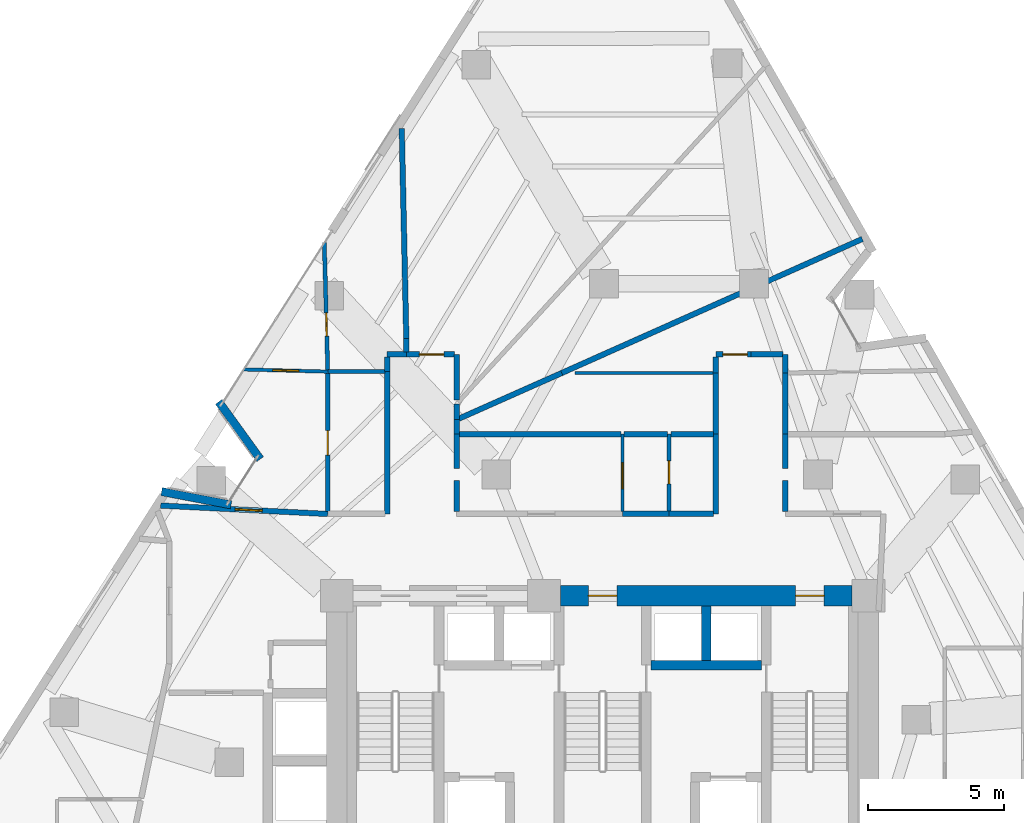
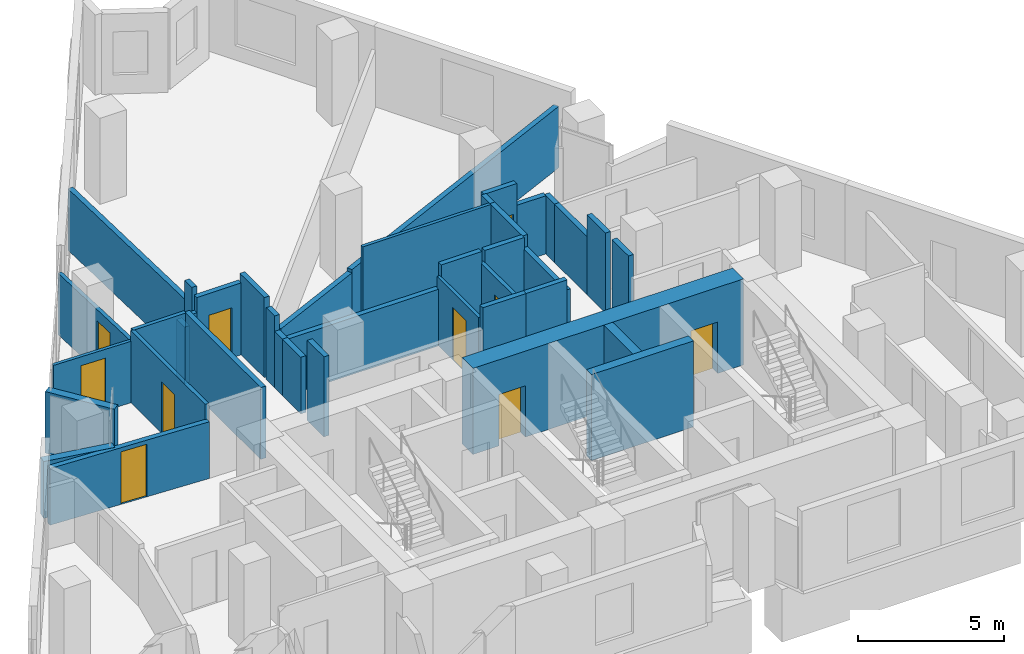
# One storey, part 8 of 12: 40 walls, 10 doors, 10 openings.
"""IFC4 building model written with IfcOpenShell, lengths in metres."""

from ifc_helpers import new_model, si_unit, direction, frame, frame_2d, origin, place, context, subcontext, project, spatial, rectangle, extrude, material, layer, layer_set, type_object, element, fill, save


model = new_model("IFC4")

# Units and contexts
model_context = context("Model", 3, precision=1e-05, world=origin(), true_north=direction((0.0, 1.0)))
body_context = subcontext(model_context, "Body", "Model", "MODEL_VIEW")
ifc_project = project(units=[si_unit("LENGTHUNIT", "METRE"), si_unit("AREAUNIT", "SQUARE_METRE"), si_unit("VOLUMEUNIT", "CUBIC_METRE"), si_unit("PLANEANGLEUNIT", "RADIAN"), si_unit("MASSUNIT", "GRAM", prefix="KILO")], contexts=[model_context])

# Site, building, storey
site_placement = place(None, origin())
site = spatial("IfcSite", under=ifc_project, at=site_placement, CompositionType="ELEMENT")
building_placement = place(site_placement, origin())
building = spatial("IfcBuilding", under=site, at=building_placement, Name="Almagre Mirador Tower", CompositionType="ELEMENT")
storey_placement = place(building_placement, frame((0.0, 0.0, 132.0)))
storey = spatial("IfcBuildingStorey", under=building, at=storey_placement, Name="L33", CompositionType="ELEMENT", Elevation=132.0)

# Walls
ifc_material_1 = material(Name="Precast concrete C50/60", Category="concrete")
ifc_layer_1 = layer(ifc_material_1, 0.300048828125)
ifc_layer_set_1 = layer_set([ifc_layer_1], Name="Precast concrete C50/60")
wall_type_1 = type_object("IfcWallType", Name="WAL-EXT-300", PredefinedType="SOLIDWALL", material=ifc_layer_set_1)
wall_1_placement = place(storey_placement, frame((21.12548828125, 18.5712890625, 0.0), z_axis=(0.0, 0.0, 1.0), x_axis=(0.982321262429, -0.187202931012, 0.0)))
element("IfcWall", 1, at=wall_1_placement, inside=storey, type_object=wall_type_1, Name="L33 expressed almagre precast frame wall 01", PredefinedType="SOLIDWALL", context=body_context, shape_type="SweptSolid", body=[
    extrude(rectangle(XDim=2.593994140625, YDim=0.300048828125, at=frame_2d((1.296875, 0.0))), origin(), (0.0, 0.0, 1.0), 2.376953125),
])
wall_2_placement = place(storey_placement, frame((24.740966796875, 19.760498046875, 0.0), z_axis=(0.0, 0.0, 1.0), x_axis=(-0.585538656592, 0.810644485355, 0.0)))
element("IfcWall", 2, at=wall_2_placement, inside=storey, type_object=wall_type_1, Name="L33 expressed almagre precast frame wall 02", PredefinedType="SOLIDWALL", context=body_context, shape_type="SweptSolid", body=[
    extrude(rectangle(XDim=2.59423828125, YDim=0.300048828125, at=frame_2d((1.297119140625, 0.0))), origin(), (0.0, 0.0, 1.0), 2.574951171875),
])

# Wall, opening, door
ifc_material_2 = material(Name="Gypsum acoustic stud partition", Category="other")
ifc_layer_2 = layer(ifc_material_2, 0.125)
ifc_layer_set_2 = layer_set([ifc_layer_2], Name="Gypsum acoustic stud partition")
wall_type_2 = type_object("IfcWallType", Name="WAL-PRT-125-UTL", PredefinedType="PARTITIONING", material=ifc_layer_set_2)
wall_3_placement = place(storey_placement, frame((38.030029296875, 17.8349609375, 0.0), z_axis=(0.0, 0.0, 1.0), x_axis=(0.0, 1.0, 0.0)))
wall_3 = element("IfcWall", 3, at=wall_3_placement, inside=storey, type_object=wall_type_2, Name="L33 interior partition 061", PredefinedType="PARTITIONING", context=body_context, shape_type="SweptSolid", body=[
    extrude(rectangle(XDim=2.844970703125, YDim=0.125, at=frame_2d((1.42236328125, 0.0))), origin(), (0.0, 0.0, 1.0), 2.85302734375),
])
opening_1_placement = place(wall_3_placement, frame((0.848388671875, 0.0, 0.0)))
opening_1 = element("IfcOpeningElement", 4, at=opening_1_placement, cuts=wall_3, Name="Opening UD-01", PredefinedType="OPENING", context=body_context, shape_type="SweptSolid", body=[
    extrude(rectangle(XDim=0.949951171875, YDim=2.199951171875, at=frame_2d((0.47509765625, 1.10009765625))), frame((0.0, 0.0725, 0.0), z_axis=(0.0, -1.0, 0.0), x_axis=(1.0, 0.0, 0.0)), (0.0, 0.0, 1.0), 0.145),
])
ifc_material_3 = material(Name="Solid American walnut timber", Category="wood")
door_type_1 = type_object("IfcDoorType", Name="DOR-UNR-950X2200", OperationType="NOTDEFINED", PredefinedType="DOOR", material=ifc_material_3)
door_1_placement = place(opening_1_placement, origin())
door_1 = element("IfcDoor", 5, at=door_1_placement, inside=storey, type_object=door_type_1, Name="DR-1084 L33 interior door L33-UF-ST to L33-UF-KT", OperationType="SINGLE_SWING_LEFT", OverallHeight=2.199951171875, OverallWidth=0.949951171875, PredefinedType="DOOR", context=body_context, shape_type="SweptSolid", body=[
    extrude(rectangle(XDim=0.949951171875, YDim=2.199951171875, at=frame_2d((0.47509765625, 1.10009765625))), frame((0.0, 0.02490234375, 0.0), z_axis=(0.0, -1.0, 0.0), x_axis=(1.0, 0.0, 0.0)), (0.0, 0.0, 1.0), 0.050048828125),
])
fill(opening_1, door_1)

wall_4_placement = place(storey_placement, frame((27.219970703125, 22.969970703125, 0.0), z_axis=(0.0, 0.0, 1.0), x_axis=(-0.999655449648, 0.02624846641, 0.0)))
wall_4 = element("IfcWall", 6, at=wall_4_placement, inside=storey, type_object=wall_type_2, Name="L33 interior partition 066", PredefinedType="PARTITIONING", context=body_context, shape_type="SweptSolid", body=[
    extrude(rectangle(XDim=3.087890625, YDim=0.125, at=frame_2d((1.5439453125, 0.0))), origin(), (0.0, 0.0, 1.0), 2.570068359375),
])
opening_2_placement = place(wall_4_placement, frame((1.069091796875, 0.0, 0.0)))
opening_2 = element("IfcOpeningElement", 7, at=opening_2_placement, cuts=wall_4, Name="Opening UD-01", PredefinedType="OPENING", context=body_context, shape_type="SweptSolid", body=[
    extrude(rectangle(XDim=0.949951171875, YDim=2.199951171875, at=frame_2d((0.47509765625, 1.10009765625))), frame((0.0, 0.0725, 0.0), z_axis=(0.0, -1.0, 0.0), x_axis=(1.0, 0.0, 0.0)), (0.0, 0.0, 1.0), 0.145),
])
door_2_placement = place(opening_2_placement, origin())
door_2 = element("IfcDoor", 8, at=door_2_placement, inside=storey, type_object=door_type_1, Name="DR-1087 L33 interior door L33-UG-LV to L33-UG-KT", OperationType="SINGLE_SWING_RIGHT", OverallHeight=2.199951171875, OverallWidth=0.949951171875, PredefinedType="DOOR", context=body_context, shape_type="SweptSolid", body=[
    extrude(rectangle(XDim=0.949951171875, YDim=2.199951171875, at=frame_2d((0.47509765625, 1.10009765625))), frame((0.0, 0.02490234375, 0.0), z_axis=(0.0, -1.0, 0.0), x_axis=(1.0, 0.0, 0.0)), (0.0, 0.0, 1.0), 0.050048828125),
])
fill(opening_2, door_2)

# Wall
wall_5_placement = place(storey_placement, frame((36.291259765625, 22.919921875, 0.0), z_axis=(0.0, 0.0, 1.0), x_axis=(1.0, 0.0, 0.0)))
element("IfcWall", 9, at=wall_5_placement, inside=storey, type_object=wall_type_2, Name="L33 interior partition 073", PredefinedType="PARTITIONING", context=body_context, shape_type="SweptSolid", body=[
    extrude(rectangle(XDim=5.07373046875, YDim=0.125, at=frame_2d((2.536865234375, 0.0))), origin(), (0.0, 0.0, 1.0), 3.35009765625),
])

# Wall, opening, door
ifc_material_4 = material(Name="Gypsum acoustic stud partition", Category="other")
ifc_layer_3 = layer(ifc_material_4, 0.14990234375)
ifc_layer_set_3 = layer_set([ifc_layer_3], Name="Gypsum acoustic stud partition")
wall_type_3 = type_object("IfcWallType", Name="WAL-PRT-150-STD", PredefinedType="PARTITIONING", material=ifc_layer_set_3)
wall_6_placement = place(storey_placement, frame((39.739990234375, 17.8349609375, 0.0), z_axis=(0.0, 0.0, 1.0), x_axis=(0.0, 1.0, 0.0)))
wall_6 = element("IfcWall", 10, at=wall_6_placement, inside=storey, type_object=wall_type_3, Name="L33 interior partition 063", PredefinedType="PARTITIONING", context=body_context, shape_type="SweptSolid", body=[
    extrude(rectangle(XDim=2.844970703125, YDim=0.14990234375, at=frame_2d((1.42236328125, 0.0))), origin(), (0.0, 0.0, 1.0), 2.85302734375),
])
opening_3_placement = place(wall_6_placement, frame((1.014892578125, 0.0, 0.0)))
opening_3 = element("IfcOpeningElement", 11, at=opening_3_placement, cuts=wall_6, Name="Opening UD-04", PredefinedType="OPENING", context=body_context, shape_type="SweptSolid", body=[
    extrude(rectangle(XDim=0.85009765625, YDim=2.10009765625, at=frame_2d((0.425048828125, 1.050048828125))), frame((0.0, 0.084951, 0.0), z_axis=(0.0, -1.0, 0.0), x_axis=(1.0, 0.0, 0.0)), (0.0, 0.0, 1.0), 0.169902),
])
ifc_material_5 = material(Name="Moisture-resistant oak timber", Category="wood")
door_type_2 = type_object("IfcDoorType", Name="DOR-UNR-850X2100", OperationType="NOTDEFINED", PredefinedType="DOOR", material=ifc_material_5)
door_3_placement = place(opening_3_placement, origin())
door_3 = element("IfcDoor", 12, at=door_3_placement, inside=storey, type_object=door_type_2, Name="DR-1085 L33 interior door L33-UF-KT to L33-UF-BT", OperationType="SINGLE_SWING_RIGHT", OverallHeight=2.10009765625, OverallWidth=0.85009765625, PredefinedType="DOOR", context=body_context, shape_type="SweptSolid", body=[
    extrude(rectangle(XDim=0.85009765625, YDim=2.10009765625, at=frame_2d((0.425048828125, 1.050048828125))), frame((0.0, 0.02490234375, 0.0), z_axis=(0.0, -1.0, 0.0), x_axis=(1.0, 0.0, 0.0)), (0.0, 0.0, 1.0), 0.050048828125),
])
fill(opening_3, door_3)

wall_7_placement = place(storey_placement, frame((27.219970703125, 17.8349609375, 0.0), z_axis=(0.0, 0.0, 1.0), x_axis=(0.0, 1.0, 0.0)))
wall_7 = element("IfcWall", 13, at=wall_7_placement, inside=storey, type_object=wall_type_3, Name="L33 interior partition 067", PredefinedType="PARTITIONING", context=body_context, shape_type="SweptSolid", body=[
    extrude(rectangle(XDim=5.087646484375, YDim=0.14990234375, at=frame_2d((2.5439453125, 0.0))), origin(), (0.0, 0.0, 1.0), 3.010009765625),
])
opening_4_placement = place(wall_7_placement, frame((2.074951171875, 0.0, 0.0)))
opening_4 = element("IfcOpeningElement", 14, at=opening_4_placement, cuts=wall_7, Name="Opening UD-02", PredefinedType="OPENING", context=body_context, shape_type="SweptSolid", body=[
    extrude(rectangle(XDim=0.89990234375, YDim=2.14990234375, at=frame_2d((0.449951171875, 1.074951171875))), frame((0.0, 0.084951, 0.0), z_axis=(0.0, -1.0, 0.0), x_axis=(1.0, 0.0, 0.0)), (0.0, 0.0, 1.0), 0.169902),
])
ifc_material_6 = material(Name="Solid American walnut timber", Category="wood")
door_type_3 = type_object("IfcDoorType", Name="DOR-UNR-900X2150", OperationType="NOTDEFINED", PredefinedType="DOOR", material=ifc_material_6)
door_4_placement = place(opening_4_placement, origin())
door_4 = element("IfcDoor", 15, at=door_4_placement, inside=storey, type_object=door_type_3, Name="DR-1089 L33 interior door L33-UG-LV to L33-UG-B1", OperationType="SINGLE_SWING_RIGHT", OverallHeight=2.14990234375, OverallWidth=0.89990234375, PredefinedType="DOOR", context=body_context, shape_type="SweptSolid", body=[
    extrude(rectangle(XDim=0.89990234375, YDim=2.14990234375, at=frame_2d((0.449951171875, 1.074951171875))), frame((0.0, 0.02490234375, 0.0), z_axis=(0.0, -1.0, 0.0), x_axis=(1.0, 0.0, 0.0)), (0.0, 0.0, 1.0), 0.050048828125),
])
fill(opening_4, door_4)

wall_8_placement = place(storey_placement, frame((27.093017578125, 27.700927734375, 0.0), z_axis=(0.0, 0.0, 1.0), x_axis=(0.026837017595, -0.999639822379, 0.0)))
wall_8 = element("IfcWall", 16, at=wall_8_placement, inside=storey, type_object=wall_type_3, Name="L33 interior partition 068", PredefinedType="PARTITIONING", context=body_context, shape_type="SweptSolid", body=[
    extrude(rectangle(XDim=4.68505859375, YDim=0.14990234375, at=frame_2d((2.342529296875, 0.0))), origin(), (0.0, 0.0, 1.0), 2.570068359375),
])
opening_5_placement = place(wall_8_placement, frame((2.58056640625, 0.0, 0.0)))
opening_5 = element("IfcOpeningElement", 17, at=opening_5_placement, cuts=wall_8, Name="Opening UD-04", PredefinedType="OPENING", context=body_context, shape_type="SweptSolid", body=[
    extrude(rectangle(XDim=0.85009765625, YDim=2.10009765625, at=frame_2d((0.425048828125, 1.050048828125))), frame((0.0, 0.084951, 0.0), z_axis=(0.0, -1.0, 0.0), x_axis=(1.0, 0.0, 0.0)), (0.0, 0.0, 1.0), 0.169902),
])
door_5_placement = place(opening_5_placement, origin())
door_5 = element("IfcDoor", 18, at=door_5_placement, inside=storey, type_object=door_type_2, Name="DR-1088 L33 interior door L33-UG-BT to L33-UG-KT", OperationType="SINGLE_SWING_LEFT", OverallHeight=2.10009765625, OverallWidth=0.85009765625, PredefinedType="DOOR", context=body_context, shape_type="SweptSolid", body=[
    extrude(rectangle(XDim=0.85009765625, YDim=2.10009765625, at=frame_2d((0.425048828125, 1.050048828125))), frame((0.0, 0.02490234375, 0.0), z_axis=(0.0, -1.0, 0.0), x_axis=(1.0, 0.0, 0.0)), (0.0, 0.0, 1.0), 0.050048828125),
])
fill(opening_5, door_5)

# Walls
wall_9_placement = place(storey_placement, frame((27.232421875, 22.969970703125, 0.0), z_axis=(0.0, 0.0, 1.0), x_axis=(1.0, 0.0, 0.0)))
element("IfcWall", 19, at=wall_9_placement, inside=storey, type_object=wall_type_3, Name="L33 interior partition 069", PredefinedType="PARTITIONING", context=body_context, shape_type="SweptSolid", body=[
    extrude(rectangle(XDim=2.08251953125, YDim=0.14990234375, at=frame_2d((1.041259765625, 0.0))), origin(), (0.0, 0.0, 1.0), 3.010009765625),
])
ifc_material_7 = material(Name="Gypsum acoustic stud partition", Category="other")
ifc_layer_4 = layer(ifc_material_7, 0.199951171875)
ifc_layer_set_4 = layer_set([ifc_layer_4], Name="Gypsum acoustic stud partition")
wall_type_4 = type_object("IfcWallType", Name="WAL-PRT-200-EI60", PredefinedType="PARTITIONING", material=ifc_layer_set_4)
wall_10_placement = place(storey_placement, frame((44.0, 17.8349609375, 0.0), z_axis=(0.0, 0.0, 1.0), x_axis=(0.0, 1.0, 0.0)))
element("IfcWall", 20, at=wall_10_placement, inside=storey, type_object=wall_type_4, Name="L33 interior partition 006", PredefinedType="PARTITIONING", context=body_context, shape_type="SweptSolid", body=[
    extrude(rectangle(XDim=1.14501953125, YDim=0.199951171875, at=frame_2d((0.572509765625, 0.0))), origin(), (0.0, 0.0, 1.0), 3.35009765625),
])
wall_11_placement = place(storey_placement, frame((44.0, 19.419921875, 0.0), z_axis=(0.0, 0.0, 1.0), x_axis=(0.0, 1.0, 0.0)))
element("IfcWall", 21, at=wall_11_placement, inside=storey, type_object=wall_type_4, Name="L33 interior partition 007", PredefinedType="PARTITIONING", context=body_context, shape_type="SweptSolid", body=[
    extrude(rectangle(XDim=1.260009765625, YDim=0.199951171875, at=frame_2d((0.6298828125, 0.0))), origin(), (0.0, 0.0, 1.0), 3.35009765625),
])
wall_12_placement = place(storey_placement, frame((31.949951171875, 17.8349609375, 0.0), z_axis=(0.0, 0.0, 1.0), x_axis=(0.0, 1.0, 0.0)))
element("IfcWall", 22, at=wall_12_placement, inside=storey, type_object=wall_type_4, Name="L33 interior partition 009", PredefinedType="PARTITIONING", context=body_context, shape_type="SweptSolid", body=[
    extrude(rectangle(XDim=1.14501953125, YDim=0.199951171875, at=frame_2d((0.572509765625, 0.0))), origin(), (0.0, 0.0, 1.0), 3.35009765625),
])
wall_13_placement = place(storey_placement, frame((31.949951171875, 19.419921875, 0.0), z_axis=(0.0, 0.0, 1.0), x_axis=(0.0, 1.0, 0.0)))
element("IfcWall", 23, at=wall_13_placement, inside=storey, type_object=wall_type_4, Name="L33 interior partition 010", PredefinedType="PARTITIONING", context=body_context, shape_type="SweptSolid", body=[
    extrude(rectangle(XDim=1.260009765625, YDim=0.199951171875, at=frame_2d((0.6298828125, 0.0))), origin(), (0.0, 0.0, 1.0), 2.3720703125),
])
wall_14_placement = place(storey_placement, frame((39.739990234375, 17.75, 0.0), z_axis=(0.0, 0.0, 1.0), x_axis=(-1.0, 0.0, 0.0)))
element("IfcWall", 24, at=wall_14_placement, inside=storey, type_object=wall_type_4, Name="L33 interior partition 011", PredefinedType="PARTITIONING", context=body_context, shape_type="SweptSolid", body=[
    extrude(rectangle(XDim=1.7099609375, YDim=0.199951171875, at=frame_2d((0.85498046875, 0.0))), origin(), (0.0, 0.0, 1.0), 3.35009765625),
])
wall_15_placement = place(storey_placement, frame((41.449951171875, 20.679931640625, 0.0), z_axis=(0.0, 0.0, 1.0), x_axis=(0.0, -1.0, 0.0)))
element("IfcWall", 25, at=wall_15_placement, inside=storey, type_object=wall_type_4, Name="L33 interior partition 012", PredefinedType="PARTITIONING", context=body_context, shape_type="SweptSolid", body=[
    extrude(rectangle(XDim=2.929931640625, YDim=0.199951171875, at=frame_2d((1.46484375, 0.0))), origin(), (0.0, 0.0, 1.0), 2.85302734375),
])
wall_16_placement = place(storey_placement, frame((41.364990234375, 17.75, 0.0), z_axis=(0.0, 0.0, 1.0), x_axis=(-1.0, 0.0, 0.0)))
element("IfcWall", 26, at=wall_16_placement, inside=storey, type_object=wall_type_4, Name="L33 interior partition 013", PredefinedType="PARTITIONING", context=body_context, shape_type="SweptSolid", body=[
    extrude(rectangle(XDim=1.625, YDim=0.199951171875, at=frame_2d((0.8125, 0.0))), origin(), (0.0, 0.0, 1.0), 3.35009765625),
])

# Wall, opening, door
wall_17_placement = place(storey_placement, frame((27.219970703125, 17.75, 0.0), z_axis=(0.0, 0.0, 1.0), x_axis=(-0.998738006895, 0.050223436592, 0.0)))
wall_17 = element("IfcWall", 27, at=wall_17_placement, inside=storey, type_object=wall_type_4, Name="L33 interior partition 014", PredefinedType="PARTITIONING", context=body_context, shape_type="SweptSolid", body=[
    extrude(rectangle(XDim=6.134765625, YDim=0.199951171875, at=frame_2d((3.0673828125, 0.0))), origin(), (0.0, 0.0, 1.0), 2.3720703125),
])
opening_6_placement = place(wall_17_placement, frame((2.404052734375, 0.0, 0.0)))
opening_6 = element("IfcOpeningElement", 28, at=opening_6_placement, cuts=wall_17, Name="Opening ID-01", PredefinedType="OPENING", context=body_context, shape_type="SweptSolid", body=[
    extrude(rectangle(XDim=1.0, YDim=2.199951171875, at=frame_2d((0.5, 1.10009765625))), frame((0.0, 0.110098, 0.0), z_axis=(0.0, -1.0, 0.0), x_axis=(1.0, 0.0, 0.0)), (0.0, 0.0, 1.0), 0.219951),
])
ifc_material_8 = material(Name="Fire-rated walnut timber", Category="wood")
door_type_4 = type_object("IfcDoorType", Name="DOR-FD60-1000X2200", OperationType="NOTDEFINED", PredefinedType="DOOR", material=ifc_material_8)
door_6_placement = place(opening_6_placement, origin())
door_6 = element("IfcDoor", 29, at=door_6_placement, inside=storey, type_object=door_type_4, Name="DR-1086 L33 interior door L33-RCOR to L33-UG-LV", OperationType="SINGLE_SWING_LEFT", OverallHeight=2.199951171875, OverallWidth=1.0, PredefinedType="DOOR", context=body_context, shape_type="SweptSolid", body=[
    extrude(rectangle(XDim=1.0, YDim=2.199951171875, at=frame_2d((0.5, 1.10009765625))), frame((0.0, 0.02490234375, 0.0), z_axis=(0.0, -1.0, 0.0), x_axis=(1.0, 0.0, 0.0)), (0.0, 0.0, 1.0), 0.050048828125),
])
fill(opening_6, door_6)

# Walls
wall_18_placement = place(storey_placement, frame((30.10009765625, 23.60009765625, 0.0), z_axis=(0.0, 0.0, 1.0), x_axis=(-1.0, 0.0, 0.0)))
element("IfcWall", 30, at=wall_18_placement, inside=storey, type_object=wall_type_4, Name="L33 interior partition 016", PredefinedType="PARTITIONING", context=body_context, shape_type="SweptSolid", body=[
    extrude(rectangle(XDim=0.7001953125, YDim=0.199951171875, at=frame_2d((0.35009765625, 0.0))), origin(), (0.0, 0.0, 1.0), 2.3720703125),
])
wall_19_placement = place(storey_placement, frame((29.39990234375, 23.514892578125, 0.0), z_axis=(0.0, 0.0, 1.0), x_axis=(0.0, -1.0, 0.0)))
element("IfcWall", 31, at=wall_19_placement, inside=storey, type_object=wall_type_4, Name="L33 interior partition 017", PredefinedType="PARTITIONING", context=body_context, shape_type="SweptSolid", body=[
    extrude(rectangle(XDim=0.544921875, YDim=0.199951171875, at=frame_2d((0.2724609375, 0.0))), origin(), (0.0, 0.0, 1.0), 2.3720703125),
])
wall_20_placement = place(storey_placement, frame((29.39990234375, 22.969970703125, 0.0), z_axis=(0.0, 0.0, 1.0), x_axis=(0.0, -1.0, 0.0)))
element("IfcWall", 32, at=wall_20_placement, inside=storey, type_object=wall_type_4, Name="L33 interior partition 018", PredefinedType="PARTITIONING", context=body_context, shape_type="SweptSolid", body=[
    extrude(rectangle(XDim=5.219970703125, YDim=0.199951171875, at=frame_2d((2.60986328125, 0.0))), origin(), (0.0, 0.0, 1.0), 3.010009765625),
])
wall_21_placement = place(storey_placement, frame((44.0, 22.919921875, 0.0), z_axis=(0.0, 0.0, 1.0), x_axis=(0.0, 1.0, 0.0)))
element("IfcWall", 33, at=wall_21_placement, inside=storey, type_object=wall_type_4, Name="L33 interior partition 020", PredefinedType="PARTITIONING", context=body_context, shape_type="SweptSolid", body=[
    extrude(rectangle(XDim=0.68017578125, YDim=0.199951171875, at=frame_2d((0.340087890625, 0.0))), origin(), (0.0, 0.0, 1.0), 2.43603515625),
])
wall_22_placement = place(storey_placement, frame((43.9150390625, 23.60009765625, 0.0), z_axis=(0.0, 0.0, 1.0), x_axis=(-1.0, 0.0, 0.0)))
element("IfcWall", 34, at=wall_22_placement, inside=storey, type_object=wall_type_4, Name="L33 interior partition 021", PredefinedType="PARTITIONING", context=body_context, shape_type="SweptSolid", body=[
    extrude(rectangle(XDim=1.1650390625, YDim=0.199951171875, at=frame_2d((0.58251953125, 0.0))), origin(), (0.0, 0.0, 1.0), 2.43603515625),
])

# Wall, opening, door
wall_23_placement = place(storey_placement, frame((42.75, 23.60009765625, 0.0), z_axis=(0.0, 0.0, 1.0), x_axis=(-1.0, 0.0, 0.0)))
wall_23 = element("IfcWall", 35, at=wall_23_placement, inside=storey, type_object=wall_type_4, Name="L33 interior partition 022", PredefinedType="PARTITIONING", context=body_context, shape_type="SweptSolid", body=[
    extrude(rectangle(XDim=1.300048828125, YDim=0.199951171875, at=frame_2d((0.64990234375, 0.0))), origin(), (0.0, 0.0, 1.0), 3.35009765625),
])
opening_7_placement = place(wall_23_placement, frame((0.139892578125, 0.0, 0.0)))
opening_7 = element("IfcOpeningElement", 36, at=opening_7_placement, cuts=wall_23, Name="Opening ID-03", PredefinedType="OPENING", context=body_context, shape_type="SweptSolid", body=[
    extrude(rectangle(XDim=0.89990234375, YDim=2.10009765625, at=frame_2d((0.449951171875, 1.050048828125))), frame((0.0, 0.110098, 0.0), z_axis=(0.0, -1.0, 0.0), x_axis=(1.0, 0.0, 0.0)), (0.0, 0.0, 1.0), 0.219951),
])
ifc_material_9 = material(Name="Fire-rated hollow steel", Category="steel")
door_type_5 = type_object("IfcDoorType", Name="DOR-FD60-900X2100", OperationType="NOTDEFINED", PredefinedType="DOOR", material=ifc_material_9)
door_7_placement = place(opening_7_placement, origin())
door_7 = element("IfcDoor", 37, at=door_7_placement, inside=storey, type_object=door_type_5, Name="DR-1090 L33 interior door L33-RCOR to L33-UH-ST", OperationType="SINGLE_SWING_RIGHT", OverallHeight=2.10009765625, OverallWidth=0.89990234375, PredefinedType="DOOR", context=body_context, shape_type="SweptSolid", body=[
    extrude(rectangle(XDim=0.89990234375, YDim=2.10009765625, at=frame_2d((0.449951171875, 1.050048828125))), frame((0.0, 0.02490234375, 0.0), z_axis=(0.0, -1.0, 0.0), x_axis=(1.0, 0.0, 0.0)), (0.0, 0.0, 1.0), 0.050048828125),
])
fill(opening_7, door_7)

# Walls
wall_24_placement = place(storey_placement, frame((41.449951171875, 23.514892578125, 0.0), z_axis=(0.0, 0.0, 1.0), x_axis=(0.0, -1.0, 0.0)))
element("IfcWall", 38, at=wall_24_placement, inside=storey, type_object=wall_type_4, Name="L33 interior partition 023", PredefinedType="PARTITIONING", context=body_context, shape_type="SweptSolid", body=[
    extrude(rectangle(XDim=0.594970703125, YDim=0.199951171875, at=frame_2d((0.29736328125, 0.0))), origin(), (0.0, 0.0, 1.0), 3.35009765625),
])
wall_25_placement = place(storey_placement, frame((44.0, 20.679931640625, 0.0), z_axis=(0.0, 0.0, 1.0), x_axis=(0.0, 1.0, 0.0)))
element("IfcWall", 39, at=wall_25_placement, inside=storey, type_object=wall_type_4, Name="L33 interior partition 024", PredefinedType="PARTITIONING", context=body_context, shape_type="SweptSolid", body=[
    extrude(rectangle(XDim=2.239990234375, YDim=0.199951171875, at=frame_2d((1.1201171875, 0.0))), origin(), (0.0, 0.0, 1.0), 2.43603515625),
])
wall_26_placement = place(storey_placement, frame((31.949951171875, 20.679931640625, 0.0), z_axis=(0.0, 0.0, 1.0), x_axis=(0.0, 1.0, 0.0)))
element("IfcWall", 40, at=wall_26_placement, inside=storey, type_object=wall_type_4, Name="L33 interior partition 025", PredefinedType="PARTITIONING", context=body_context, shape_type="SweptSolid", body=[
    extrude(rectangle(XDim=0.530029296875, YDim=0.199951171875, at=frame_2d((0.26513671875, 0.0))), origin(), (0.0, 0.0, 1.0), 2.3720703125),
])
wall_27_placement = place(storey_placement, frame((41.449951171875, 22.919921875, 0.0), z_axis=(0.0, 0.0, 1.0), x_axis=(0.0, -1.0, 0.0)))
element("IfcWall", 41, at=wall_27_placement, inside=storey, type_object=wall_type_4, Name="L33 interior partition 026", PredefinedType="PARTITIONING", context=body_context, shape_type="SweptSolid", body=[
    extrude(rectangle(XDim=2.239990234375, YDim=0.199951171875, at=frame_2d((1.1201171875, 0.0))), origin(), (0.0, 0.0, 1.0), 3.35009765625),
])
wall_28_placement = place(storey_placement, frame((31.949951171875, 21.925048828125, 0.0), z_axis=(0.0, 0.0, 1.0), x_axis=(0.0, 1.0, 0.0)))
element("IfcWall", 42, at=wall_28_placement, inside=storey, type_object=wall_type_4, Name="L33 interior partition 027", PredefinedType="PARTITIONING", context=body_context, shape_type="SweptSolid", body=[
    extrude(rectangle(XDim=1.675048828125, YDim=0.199951171875, at=frame_2d((0.83740234375, 0.0))), origin(), (0.0, 0.0, 1.0), 3.35009765625),
])

# Wall, opening, door
wall_29_placement = place(storey_placement, frame((31.864990234375, 23.60009765625, 0.0), z_axis=(0.0, 0.0, 1.0), x_axis=(-1.0, 0.0, 0.0)))
wall_29 = element("IfcWall", 43, at=wall_29_placement, inside=storey, type_object=wall_type_4, Name="L33 interior partition 028", PredefinedType="PARTITIONING", context=body_context, shape_type="SweptSolid", body=[
    extrude(rectangle(XDim=1.764892578125, YDim=0.199951171875, at=frame_2d((0.88232421875, 0.0))), origin(), (0.0, 0.0, 1.0), 3.010009765625),
])
opening_8_placement = place(wall_29_placement, frame((0.389892578125, 0.0, 0.0)))
opening_8 = element("IfcOpeningElement", 44, at=opening_8_placement, cuts=wall_29, Name="Opening ID-03", PredefinedType="OPENING", context=body_context, shape_type="SweptSolid", body=[
    extrude(rectangle(XDim=0.89990234375, YDim=2.10009765625, at=frame_2d((0.449951171875, 1.050048828125))), frame((0.0, 0.110098, 0.0), z_axis=(0.0, -1.0, 0.0), x_axis=(1.0, 0.0, 0.0)), (0.0, 0.0, 1.0), 0.219951),
])
door_8_placement = place(opening_8_placement, origin())
door_8 = element("IfcDoor", 45, at=door_8_placement, inside=storey, type_object=door_type_5, Name="DR-1071 L33 interior door L33-RCOR to L33-RST-J", OperationType="SINGLE_SWING_LEFT", OverallHeight=2.10009765625, OverallWidth=0.89990234375, PredefinedType="DOOR", context=body_context, shape_type="SweptSolid", body=[
    extrude(rectangle(XDim=0.89990234375, YDim=2.10009765625, at=frame_2d((0.449951171875, 1.050048828125))), frame((0.0, 0.02490234375, 0.0), z_axis=(0.0, -1.0, 0.0), x_axis=(1.0, 0.0, 0.0)), (0.0, 0.0, 1.0), 0.050048828125),
])
fill(opening_8, door_8)

# Walls
wall_30_placement = place(storey_placement, frame((31.949951171875, 21.2099609375, 0.0), z_axis=(0.0, 0.0, 1.0), x_axis=(0.0, 1.0, 0.0)))
element("IfcWall", 46, at=wall_30_placement, inside=storey, type_object=wall_type_4, Name="L33 interior partition 029", PredefinedType="PARTITIONING", context=body_context, shape_type="SweptSolid", body=[
    extrude(rectangle(XDim=0.580078125, YDim=0.199951171875, at=frame_2d((0.2900390625, 0.0))), origin(), (0.0, 0.0, 1.0), 3.010009765625),
])
wall_31_placement = place(storey_placement, frame((37.982421875, 20.679931640625, 0.0), z_axis=(0.0, 0.0, 1.0), x_axis=(-1.0, 0.0, 0.0)))
element("IfcWall", 47, at=wall_31_placement, inside=storey, type_object=wall_type_4, Name="L33 interior partition 062", PredefinedType="PARTITIONING", context=body_context, shape_type="SweptSolid", body=[
    extrude(rectangle(XDim=5.947509765625, YDim=0.199951171875, at=frame_2d((2.9736328125, 0.0))), origin(), (0.0, 0.0, 1.0), 2.3720703125),
])
wall_32_placement = place(storey_placement, frame((39.679931640625, 20.679931640625, 0.0), z_axis=(0.0, 0.0, 1.0), x_axis=(-1.0, 0.0, 0.0)))
element("IfcWall", 48, at=wall_32_placement, inside=storey, type_object=wall_type_4, Name="L33 interior partition 064", PredefinedType="PARTITIONING", context=body_context, shape_type="SweptSolid", body=[
    extrude(rectangle(XDim=1.6025390625, YDim=0.199951171875, at=frame_2d((0.80126953125, 0.0))), origin(), (0.0, 0.0, 1.0), 3.35009765625),
])
wall_33_placement = place(storey_placement, frame((41.364990234375, 20.679931640625, 0.0), z_axis=(0.0, 0.0, 1.0), x_axis=(-1.0, 0.0, 0.0)))
element("IfcWall", 49, at=wall_33_placement, inside=storey, type_object=wall_type_4, Name="L33 interior partition 065", PredefinedType="PARTITIONING", context=body_context, shape_type="SweptSolid", body=[
    extrude(rectangle(XDim=1.56494140625, YDim=0.199951171875, at=frame_2d((0.782470703125, 0.0))), origin(), (0.0, 0.0, 1.0), 3.35009765625),
])
wall_34_placement = place(storey_placement, frame((30.10009765625, 23.68505859375, 0.0), z_axis=(0.0, 0.0, 1.0), x_axis=(0.0, 1.0, 0.0)))
element("IfcWall", 50, at=wall_34_placement, inside=storey, type_object=wall_type_4, Name="L33 interior partition 070", PredefinedType="PARTITIONING", context=body_context, shape_type="SweptSolid", body=[
    extrude(rectangle(XDim=0.494873046875, YDim=0.199951171875, at=frame_2d((0.24755859375, 0.0))), origin(), (0.0, 0.0, 1.0), 3.35009765625),
])
wall_35_placement = place(storey_placement, frame((30.10009765625, 24.179931640625, 0.0), z_axis=(0.0, 0.0, 1.0), x_axis=(-0.021650773046, 0.99976559454, 0.0)))
element("IfcWall", 51, at=wall_35_placement, inside=storey, type_object=wall_type_4, Name="L33 interior partition 071", PredefinedType="PARTITIONING", context=body_context, shape_type="SweptSolid", body=[
    extrude(rectangle(XDim=7.712890625, YDim=0.199951171875, at=frame_2d((3.8564453125, 0.0))), origin(), (0.0, 0.0, 1.0), 2.570068359375),
])
wall_36_placement = place(storey_placement, frame((46.824951171875, 27.8349609375, 0.0), z_axis=(0.0, 0.0, 1.0), x_axis=(-0.913347223941, -0.407181591576, 0.0)))
element("IfcWall", 52, at=wall_36_placement, inside=storey, type_object=wall_type_4, Name="L33 interior partition 074", PredefinedType="PARTITIONING", context=body_context, shape_type="SweptSolid", body=[
    extrude(rectangle(XDim=12.07080078125, YDim=0.199951171875, at=frame_2d((6.035400390625, 0.0))), origin(), (0.0, 0.0, 1.0), 2.570068359375),
])
wall_37_placement = place(storey_placement, frame((35.800048828125, 22.919921875, 0.0), z_axis=(0.0, 0.0, 1.0), x_axis=(-0.913911518979, -0.405913458113, 0.0)))
element("IfcWall", 53, at=wall_37_placement, inside=storey, type_object=wall_type_4, Name="L33 interior partition 075", PredefinedType="PARTITIONING", context=body_context, shape_type="SweptSolid", body=[
    extrude(rectangle(XDim=4.1279296875, YDim=0.199951171875, at=frame_2d((2.06396484375, 0.0))), origin(), (0.0, 0.0, 1.0), 2.43603515625),
])
ifc_material_10 = material(Name="Concrete C60/75", Category="concrete")
ifc_layer_5 = layer(ifc_material_10, 0.35009765625)
ifc_layer_set_5 = layer_set([ifc_layer_5], Name="Concrete C60/75")
wall_type_5 = type_object("IfcWallType", Name="WAL-SHF-350", PredefinedType="SOLIDWALL", material=ifc_layer_set_5)
wall_38_placement = place(storey_placement, frame((39.074951171875, 12.199951171875, 0.0), z_axis=(0.0, 0.0, 1.0), x_axis=(1.0, 0.0, 0.0)))
element("IfcWall", 54, at=wall_38_placement, inside=storey, type_object=wall_type_5, Name="L33 shaft wall PLH-S", PredefinedType="SOLIDWALL", context=body_context, shape_type="SweptSolid", body=[
    extrude(rectangle(XDim=4.050048828125, YDim=0.35009765625, at=frame_2d((2.02490234375, 0.0))), origin(), (0.0, 0.0, 1.0), 3.60009765625),
])
wall_39_placement = place(storey_placement, frame((41.10009765625, 12.375, 0.0), z_axis=(0.0, 0.0, 1.0), x_axis=(0.0, 1.0, 0.0)))
element("IfcWall", 55, at=wall_39_placement, inside=storey, type_object=wall_type_5, Name="L33 shaft wall PLH-M", PredefinedType="SOLIDWALL", context=body_context, shape_type="SweptSolid", body=[
    extrude(rectangle(XDim=2.0, YDim=0.35009765625, at=frame_2d((1.0, 0.0))), origin(), (0.0, 0.0, 1.0), 3.60009765625),
])

# Wall, openings, doors
ifc_material_11 = material(Name="Concrete C60/75", Category="concrete")
ifc_layer_6 = layer(ifc_material_11, 0.75)
ifc_layer_set_6 = layer_set([ifc_layer_6], Name="Concrete C60/75")
wall_type_6 = type_object("IfcWallType", Name="WAL-SHR-750", PredefinedType="SHEAR", material=ifc_layer_set_6)
wall_40_placement = place(storey_placement, frame((35.75, 14.75, 0.0), z_axis=(0.0, 0.0, 1.0), x_axis=(1.0, 0.0, 0.0)))
wall_40 = element("IfcWall", 56, at=wall_40_placement, inside=storey, type_object=wall_type_6, Name="L33 core shear wall N2", PredefinedType="SHEAR", context=body_context, shape_type="SweptSolid", body=[
    extrude(rectangle(XDim=10.699951171875, YDim=0.75, at=frame_2d((5.35009765625, 0.0))), origin(), (0.0, 0.0, 1.0), 3.60009765625),
])
opening_9_placement = place(wall_40_placement, frame((1.02490234375, 0.0, 0.0)))
opening_9 = element("IfcOpeningElement", 57, at=opening_9_placement, cuts=wall_40, Name="Opening SD-01", PredefinedType="OPENING", context=body_context, shape_type="SweptSolid", body=[
    extrude(rectangle(XDim=1.050048828125, YDim=2.14990234375, at=frame_2d((0.52490234375, 1.074951171875))), frame((0.0, 0.385, 0.0), z_axis=(0.0, -1.0, 0.0), x_axis=(1.0, 0.0, 0.0)), (0.0, 0.0, 1.0), 0.77),
])
opening_10_placement = place(wall_40_placement, frame((8.625, 0.0, 0.0)))
opening_10 = element("IfcOpeningElement", 58, at=opening_10_placement, cuts=wall_40, Name="Opening SD-01", PredefinedType="OPENING", context=body_context, shape_type="SweptSolid", body=[
    extrude(rectangle(XDim=1.050048828125, YDim=2.14990234375, at=frame_2d((0.52490234375, 1.074951171875))), frame((0.0, 0.385, 0.0), z_axis=(0.0, -1.0, 0.0), x_axis=(1.0, 0.0, 0.0)), (0.0, 0.0, 1.0), 0.77),
])
ifc_material_12 = material(Name="Fire-rated hollow steel", Category="steel")
door_type_6 = type_object("IfcDoorType", Name="DOR-ST-1050X2150", OperationType="NOTDEFINED", PredefinedType="DOOR", material=ifc_material_12)
door_9_placement = place(opening_9_placement, origin())
door_9 = element("IfcDoor", 59, at=door_9_placement, inside=storey, type_object=door_type_6, Name="DR-1098 L33 protected exit stair ST-2 door", OperationType="SINGLE_SWING_RIGHT", OverallHeight=2.14990234375, OverallWidth=1.050048828125, PredefinedType="DOOR", context=body_context, shape_type="SweptSolid", body=[
    extrude(rectangle(XDim=1.050048828125, YDim=2.14990234375, at=frame_2d((0.52490234375, 1.074951171875))), frame((0.0, 0.02490234375, 0.0), z_axis=(0.0, -1.0, 0.0), x_axis=(1.0, 0.0, 0.0)), (0.0, 0.0, 1.0), 0.050048828125),
])
fill(opening_9, door_9)
door_10_placement = place(opening_10_placement, origin())
door_10 = element("IfcDoor", 60, at=door_10_placement, inside=storey, type_object=door_type_6, Name="DR-1099 L33 protected exit stair ST-3 door", OperationType="SINGLE_SWING_LEFT", OverallHeight=2.14990234375, OverallWidth=1.050048828125, PredefinedType="DOOR", context=body_context, shape_type="SweptSolid", body=[
    extrude(rectangle(XDim=1.050048828125, YDim=2.14990234375, at=frame_2d((0.52490234375, 1.074951171875))), frame((0.0, 0.02490234375, 0.0), z_axis=(0.0, -1.0, 0.0), x_axis=(1.0, 0.0, 0.0)), (0.0, 0.0, 1.0), 0.050048828125),
])
fill(opening_10, door_10)

save(model, "model.ifc")
